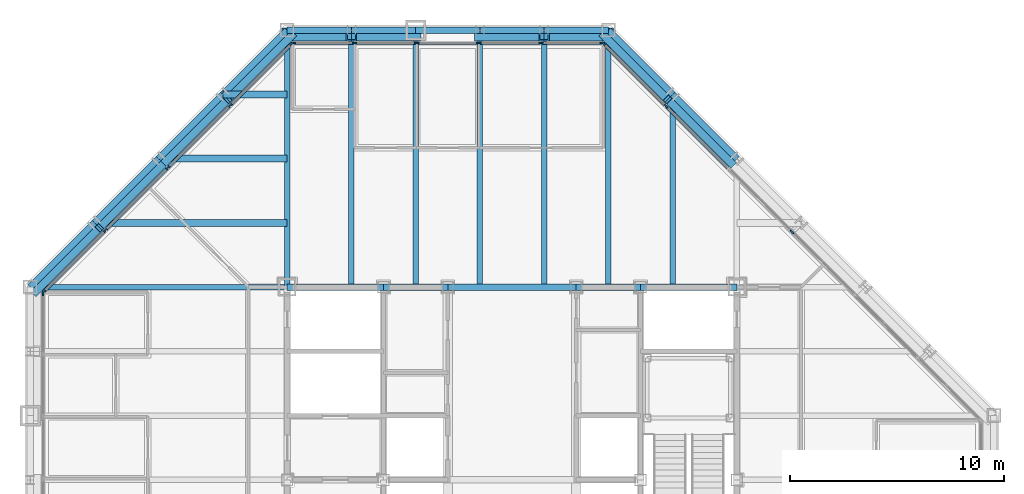
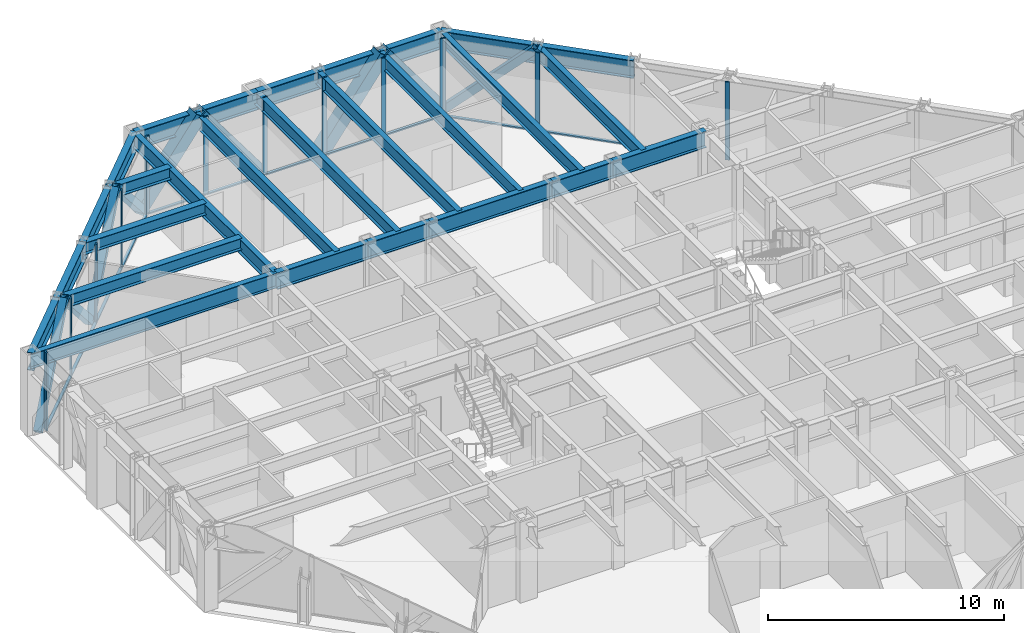
# One storey, part 8 of 16: 36 members, 27 beams, 4 elements without a shape of their own.
"""IFC4 building model written with IfcOpenShell, lengths in metres."""

from ifc_helpers import new_model, si_unit, direction, frame, origin, origin_2d, place, context, subcontext, project, spatial, rectangle, hollow_rectangle, i_section, extrude, material, layer, layer_set, material_profile, profile_set, type_object, element, aggregate, save


model = new_model("IFC4")

# Units and contexts
model_context = context("Model", 3, precision=1e-05, world=origin(), true_north=direction((0.0, 1.0)))
body_context = subcontext(model_context, "Body", "Model", "MODEL_VIEW")
ifc_project = project(units=[si_unit("LENGTHUNIT", "METRE"), si_unit("AREAUNIT", "SQUARE_METRE"), si_unit("VOLUMEUNIT", "CUBIC_METRE"), si_unit("PLANEANGLEUNIT", "RADIAN"), si_unit("MASSUNIT", "GRAM", prefix="KILO")], contexts=[model_context])

# Site, building, storey
site_placement = place(None, origin())
site = spatial("IfcSite", under=ifc_project, at=site_placement, CompositionType="ELEMENT")
building_placement = place(site_placement, origin())
building = spatial("IfcBuilding", under=site, at=building_placement, Name="Chuquiago Exchange Tower", CompositionType="ELEMENT")
storey_placement = place(building_placement, frame((0.0, 0.0, 218.10009765625)))
storey = spatial("IfcBuildingStorey", under=building, at=storey_placement, Name="L48", CompositionType="ELEMENT", Elevation=218.10009765625)

# Beams
ifc_material_1 = material(Name="Steel ASTM A992", Category="steel")
ifc_material_profile_1 = material_profile(ifc_material_1, i_section(OverallWidth=0.25390625, OverallDepth=0.683349609375, WebThickness=0.012451171875, FlangeThickness=0.018798828125, at=origin_2d()), Name="W27X94")
ifc_profile_set_1 = profile_set([ifc_material_profile_1], Name="Steel ASTM A992")
beam_type_1 = type_object("IfcBeamType", Name="B1 W27X94", PredefinedType="BEAM", material=ifc_profile_set_1)
for number, where, z_axis, x_axis, name in (
    (1, (15.0, 33.0, 3.6982421875), (0.0, 1.0, 0.0), (-1.0, 0.0, 0.0), "FB-L49-infill-15_33-15_45-0"),
    (2, (18.0, 33.0, 3.6982421875), (0.0, 1.0, 0.0), (-1.0, 0.0, 0.0), "FB-L49-infill-18_33-18_45-0"),
    (3, (21.0, 33.0, 3.6982421875), (0.0, 1.0, 0.0), (-1.0, 0.0, 0.0), "FB-L49-infill-21_33-21_45-0"),
    (4, (24.0, 33.0, 3.6982421875), (0.0, 1.0, 0.0), (-1.0, 0.0, 0.0), "FB-L49-infill-24_33-24_45-0"),
    (5, (27.0, 33.0, 3.6982421875), (0.0, 1.0, 0.0), (-1.0, 0.0, 0.0), "FB-L49-infill-27_33-27_45-0"),
):
    element("IfcBeam", number, at=place(storey_placement, frame(where, z_axis=z_axis, x_axis=x_axis)), inside=storey, type_object=beam_type_1, Name=name, PredefinedType="BEAM", context=body_context, shape_type="SweptSolid", body=[
        extrude(i_section(OverallWidth=0.25390625, OverallDepth=0.683349609375, WebThickness=0.012451171875, FlangeThickness=0.018798828125, at=origin_2d()), origin(), (0.0, 0.0, 1.0), 12.0),
    ])
beam_1_placement = place(storey_placement, frame((30.0, 33.0, 3.6982421875), z_axis=(0.0, 1.0, 0.0), x_axis=(-1.0, 0.0, 0.0)))
element("IfcBeam", 6, at=beam_1_placement, inside=storey, type_object=beam_type_1, Name="FB-L49-infill-30_33-30_42-0", PredefinedType="BEAM", context=body_context, shape_type="SweptSolid", body=[
    extrude(i_section(OverallWidth=0.25390625, OverallDepth=0.683349609375, WebThickness=0.012451171875, FlangeThickness=0.018798828125, at=origin_2d()), origin(), (0.0, 0.0, 1.0), 9.0),
])
ifc_material_2 = material(Name="Steel ASTM A992", Category="steel")
ifc_material_profile_2 = material_profile(ifc_material_2, i_section(OverallWidth=0.3251953125, OverallDepth=0.612060546875, WebThickness=0.0126953125, FlangeThickness=0.01904296875, at=origin_2d()), Name="W24X104")
ifc_profile_set_2 = profile_set([ifc_material_profile_2], Name="Steel ASTM A992")
beam_type_2 = type_object("IfcBeamType", Name="B2 W24X104", PredefinedType="BEAM", material=ifc_profile_set_2)
beam_2_placement = place(storey_placement, frame((12.0, 36.0, 3.73388671875), z_axis=(-1.0, 0.0, 0.0), x_axis=(0.0, -1.0, 0.0)))
element("IfcBeam", 7, at=beam_2_placement, inside=storey, type_object=beam_type_2, Name="FB-L49-corner-12_36-3_36-0", PredefinedType="BEAM", context=body_context, shape_type="SweptSolid", body=[
    extrude(i_section(OverallWidth=0.3251953125, OverallDepth=0.612060546875, WebThickness=0.0126953125, FlangeThickness=0.01904296875, at=origin_2d()), origin(), (0.0, 0.0, 1.0), 9.0),
])
beam_3_placement = place(storey_placement, frame((12.0, 39.0, 3.73388671875), z_axis=(-1.0, 0.0, 0.0), x_axis=(0.0, -1.0, 0.0)))
element("IfcBeam", 8, at=beam_3_placement, inside=storey, type_object=beam_type_2, Name="FB-L49-corner-12_39-6_39-0", PredefinedType="BEAM", context=body_context, shape_type="SweptSolid", body=[
    extrude(i_section(OverallWidth=0.3251953125, OverallDepth=0.612060546875, WebThickness=0.0126953125, FlangeThickness=0.01904296875, at=origin_2d()), origin(), (0.0, 0.0, 1.0), 6.0),
])
beam_4_placement = place(storey_placement, frame((12.0, 42.0, 3.73388671875), z_axis=(-1.0, 0.0, 0.0), x_axis=(0.0, -1.0, 0.0)))
element("IfcBeam", 9, at=beam_4_placement, inside=storey, type_object=beam_type_2, Name="FB-L49-corner-12_42-9_42-0", PredefinedType="BEAM", context=body_context, shape_type="SweptSolid", body=[
    extrude(i_section(OverallWidth=0.3251953125, OverallDepth=0.612060546875, WebThickness=0.0126953125, FlangeThickness=0.01904296875, at=origin_2d()), origin(), (0.0, 0.0, 1.0), 3.0),
])
ifc_material_3 = material(Name="Steel ASTM A992", Category="steel")
ifc_material_profile_3 = material_profile(ifc_material_3, i_section(OverallWidth=0.2919921875, OverallDepth=0.8583984375, WebThickness=0.01708984375, FlangeThickness=0.031005859375, at=origin_2d()), Name="W33X169")
ifc_profile_set_3 = profile_set([ifc_material_profile_3], Name="Steel ASTM A992")
beam_type_3 = type_object("IfcBeamType", Name="B3 W33X169", PredefinedType="BEAM", material=ifc_profile_set_3)
beam_5_placement = place(storey_placement, frame((12.0, 33.0, 3.610595703125), z_axis=(1.0, 0.0, 0.0), x_axis=(0.0, 1.0, 0.0)))
element("IfcBeam", 10, at=beam_5_placement, inside=storey, type_object=beam_type_3, Name="CB-L49-12_33-16.5_33", PredefinedType="BEAM", context=body_context, shape_type="SweptSolid", body=[
    extrude(i_section(OverallWidth=0.2919921875, OverallDepth=0.8583984375, WebThickness=0.01708984375, FlangeThickness=0.031005859375, at=origin_2d()), origin(), (0.0, 0.0, 1.0), 4.5),
])
beam_6_placement = place(storey_placement, frame((16.5, 33.0, 3.610595703125), z_axis=(1.0, 0.0, 0.0), x_axis=(0.0, 1.0, 0.0)))
element("IfcBeam", 11, at=beam_6_placement, inside=storey, type_object=beam_type_3, Name="CB-L49-16.5_33-19.5_33", PredefinedType="BEAM", context=body_context, shape_type="SweptSolid", body=[
    extrude(i_section(OverallWidth=0.2919921875, OverallDepth=0.8583984375, WebThickness=0.01708984375, FlangeThickness=0.031005859375, at=origin_2d()), origin(), (0.0, 0.0, 1.0), 3.0),
])
beam_7_placement = place(storey_placement, frame((19.5, 33.0, 3.610595703125), z_axis=(1.0, 0.0, 0.0), x_axis=(0.0, 1.0, 0.0)))
element("IfcBeam", 12, at=beam_7_placement, inside=storey, type_object=beam_type_3, Name="CB-L49-19.5_33-25.5_33", PredefinedType="BEAM", context=body_context, shape_type="SweptSolid", body=[
    extrude(i_section(OverallWidth=0.2919921875, OverallDepth=0.8583984375, WebThickness=0.01708984375, FlangeThickness=0.031005859375, at=origin_2d()), origin(), (0.0, 0.0, 1.0), 6.0),
])
beam_8_placement = place(storey_placement, frame((25.5, 33.0, 3.610595703125), z_axis=(1.0, 0.0, 0.0), x_axis=(0.0, 1.0, 0.0)))
element("IfcBeam", 13, at=beam_8_placement, inside=storey, type_object=beam_type_3, Name="CB-L49-25.5_33-28.5_33", PredefinedType="BEAM", context=body_context, shape_type="SweptSolid", body=[
    extrude(i_section(OverallWidth=0.2919921875, OverallDepth=0.8583984375, WebThickness=0.01708984375, FlangeThickness=0.031005859375, at=origin_2d()), origin(), (0.0, 0.0, 1.0), 3.0),
])
beam_9_placement = place(storey_placement, frame((28.5, 33.0, 3.610595703125), z_axis=(1.0, 0.0, 0.0), x_axis=(0.0, 1.0, 0.0)))
element("IfcBeam", 14, at=beam_9_placement, inside=storey, type_object=beam_type_3, Name="CB-L49-28.5_33-33_33", PredefinedType="BEAM", context=body_context, shape_type="SweptSolid", body=[
    extrude(i_section(OverallWidth=0.2919921875, OverallDepth=0.8583984375, WebThickness=0.01708984375, FlangeThickness=0.031005859375, at=origin_2d()), origin(), (0.0, 0.0, 1.0), 4.5),
])

# Curtain wall, members
ifc_material_4 = material(Name="Aluminium curtain wall system", Category="aluminium")
ifc_layer_1 = layer(ifc_material_4, 0.22509765625)
ifc_layer_set_1 = layer_set([ifc_layer_1], Name="CW2 office curtain wall")
curtain_wall_type_1 = type_object("IfcCurtainWallType", Name="CW2 office curtain wall", PredefinedType="NOTDEFINED", material=ifc_layer_set_1)
curtain_wall_1_placement = place(storey_placement, origin())
curtain_wall_1 = element("IfcCurtainWall", 15, at=curtain_wall_1_placement, inside=storey, type_object=curtain_wall_type_1, Name="CW2 curtain wall L48", PredefinedType="NOTDEFINED")
ifc_material_5 = material(Name="Aluminium mullion, pale anodised", Category="aluminium")
ifc_material_profile_4 = material_profile(ifc_material_5, rectangle(XDim=0.06494140625, YDim=0.22509765625, at=origin_2d()), Name="AL 65x225")
ifc_profile_set_4 = profile_set([ifc_material_profile_4], Name="Aluminium mullion, pale anodised")
member_type_1 = type_object("IfcMemberType", Name="CW2-M mullion 65x225", PredefinedType="MULLION", material=ifc_profile_set_4)
member_1_placement = place(storey_placement, frame((26.718994140625, 44.39990234375, 0.0), z_axis=(0.0, 0.0, 1.0), x_axis=(0.0, -1.0, 0.0)))
member_1 = element("IfcMember", 16, at=member_1_placement, type_object=member_type_1, Name="CW2 mullion 1", PredefinedType="MULLION", context=body_context, shape_type="SweptSolid", body=[
    extrude(rectangle(XDim=0.06494140625, YDim=0.22509765625, at=origin_2d()), origin(), (0.0, 0.0, 1.0), 4.039794921875),
])
member_2_placement = place(storey_placement, frame((23.850830078125, 44.39990234375, 0.0), z_axis=(0.0, 0.0, 1.0), x_axis=(0.0, -1.0, 0.0)))
member_2 = element("IfcMember", 17, at=member_2_placement, type_object=member_type_1, Name="CW2 mullion 2", PredefinedType="MULLION", context=body_context, shape_type="SweptSolid", body=[
    extrude(rectangle(XDim=0.06494140625, YDim=0.22509765625, at=origin_2d()), origin(), (0.0, 0.0, 1.0), 4.039794921875),
])
member_3_placement = place(storey_placement, frame((20.9501953125, 44.39990234375, 0.0), z_axis=(0.0, 0.0, 1.0), x_axis=(0.0, -1.0, 0.0)))
member_3 = element("IfcMember", 18, at=member_3_placement, type_object=member_type_1, Name="CW2 mullion 3", PredefinedType="MULLION", context=body_context, shape_type="SweptSolid", body=[
    extrude(rectangle(XDim=0.06494140625, YDim=0.22509765625, at=origin_2d()), origin(), (0.0, 0.0, 1.0), 4.039794921875),
])
member_4_placement = place(storey_placement, frame((18.0498046875, 44.39990234375, 0.0), z_axis=(0.0, 0.0, 1.0), x_axis=(0.0, -1.0, 0.0)))
member_4 = element("IfcMember", 19, at=member_4_placement, type_object=member_type_1, Name="CW2 mullion 4", PredefinedType="MULLION", context=body_context, shape_type="SweptSolid", body=[
    extrude(rectangle(XDim=0.06494140625, YDim=0.22509765625, at=origin_2d()), origin(), (0.0, 0.0, 1.0), 4.039794921875),
])
member_5_placement = place(storey_placement, frame((15.149169921875, 44.39990234375, 0.0), z_axis=(0.0, 0.0, 1.0), x_axis=(0.0, -1.0, 0.0)))
member_5 = element("IfcMember", 20, at=member_5_placement, type_object=member_type_1, Name="CW2 mullion 5", PredefinedType="MULLION", context=body_context, shape_type="SweptSolid", body=[
    extrude(rectangle(XDim=0.06494140625, YDim=0.22509765625, at=origin_2d()), origin(), (0.0, 0.0, 1.0), 4.039794921875),
])
member_6_placement = place(storey_placement, frame((12.281005859375, 44.39990234375, 0.0), z_axis=(0.0, 0.0, 1.0), x_axis=(0.0, -1.0, 0.0)))
member_6 = element("IfcMember", 21, at=member_6_placement, type_object=member_type_1, Name="CW2 mullion 6", PredefinedType="MULLION", context=body_context, shape_type="SweptSolid", body=[
    extrude(rectangle(XDim=0.06494140625, YDim=0.22509765625, at=origin_2d()), origin(), (0.0, 0.0, 1.0), 4.039794921875),
])

# Curtain wall, member
curtain_wall_2_placement = place(storey_placement, origin())
curtain_wall_2 = element("IfcCurtainWall", 22, at=curtain_wall_2_placement, inside=storey, type_object=curtain_wall_type_1, Name="CW2 curtain wall L48", PredefinedType="NOTDEFINED")
member_7_placement = place(storey_placement, frame((0.60009765625, 32.718994140625, 0.0), z_axis=(0.0, 0.0, 1.0), x_axis=(1.0, 0.0, 0.0)))
member_7 = element("IfcMember", 23, at=member_7_placement, type_object=member_type_1, Name="CW2 mullion 1", PredefinedType="MULLION", context=body_context, shape_type="SweptSolid", body=[
    extrude(rectangle(XDim=0.06494140625, YDim=0.22509765625, at=origin_2d()), origin(), (0.0, 0.0, 1.0), 4.039794921875),
])
aggregate(curtain_wall_2, [member_7])

# Member
ifc_material_6 = material(Name="Aluminium transom, pale anodised", Category="aluminium")
ifc_material_profile_5 = material_profile(ifc_material_6, rectangle(XDim=0.139892578125, YDim=0.06494140625, at=origin_2d()), Name="AL 140x65")
ifc_profile_set_5 = profile_set([ifc_material_profile_5], Name="Aluminium transom, pale anodised")
member_type_2 = type_object("IfcMemberType", Name="CW2-T transom 65x140", PredefinedType="MULLION", material=ifc_profile_set_5)
member_8_placement = place(storey_placement, frame((26.6865234375, 44.39990234375, 0.032470703125), z_axis=(-1.0, 0.0, 0.0), x_axis=(0.0, -1.0, 0.0)))
member_8 = element("IfcMember", 24, at=member_8_placement, type_object=member_type_2, Name="CW2 transom 1.1", PredefinedType="MULLION", context=body_context, shape_type="SweptSolid", body=[
    extrude(rectangle(XDim=0.139892578125, YDim=0.06494140625, at=origin_2d()), origin(), (0.0, 0.0, 1.0), 2.80322265625),
])

member_9_placement = place(storey_placement, frame((23.818359375, 44.39990234375, 0.032470703125), z_axis=(-1.0, 0.0, 0.0), x_axis=(0.0, -1.0, 0.0)))
member_9 = element("IfcMember", 25, at=member_9_placement, type_object=member_type_2, Name="CW2 transom 2.1", PredefinedType="MULLION", context=body_context, shape_type="SweptSolid", body=[
    extrude(rectangle(XDim=0.139892578125, YDim=0.06494140625, at=origin_2d()), origin(), (0.0, 0.0, 1.0), 2.83544921875),
])

member_10_placement = place(storey_placement, frame((20.917724609375, 44.39990234375, 0.032470703125), z_axis=(-1.0, 0.0, 0.0), x_axis=(0.0, -1.0, 0.0)))
member_10 = element("IfcMember", 26, at=member_10_placement, type_object=member_type_2, Name="CW2 transom 3.1", PredefinedType="MULLION", context=body_context, shape_type="SweptSolid", body=[
    extrude(rectangle(XDim=0.139892578125, YDim=0.06494140625, at=origin_2d()), origin(), (0.0, 0.0, 1.0), 2.83544921875),
])

member_11_placement = place(storey_placement, frame((18.01708984375, 44.39990234375, 0.032470703125), z_axis=(-1.0, 0.0, 0.0), x_axis=(0.0, -1.0, 0.0)))
member_11 = element("IfcMember", 27, at=member_11_placement, type_object=member_type_2, Name="CW2 transom 4.1", PredefinedType="MULLION", context=body_context, shape_type="SweptSolid", body=[
    extrude(rectangle(XDim=0.139892578125, YDim=0.06494140625, at=origin_2d()), origin(), (0.0, 0.0, 1.0), 2.83544921875),
])

member_12_placement = place(storey_placement, frame((15.11669921875, 44.39990234375, 0.032470703125), z_axis=(-1.0, 0.0, 0.0), x_axis=(0.0, -1.0, 0.0)))
member_12 = element("IfcMember", 28, at=member_12_placement, type_object=member_type_2, Name="CW2 transom 5.1", PredefinedType="MULLION", context=body_context, shape_type="SweptSolid", body=[
    extrude(rectangle(XDim=0.139892578125, YDim=0.06494140625, at=origin_2d()), origin(), (0.0, 0.0, 1.0), 2.80322265625),
])

aggregate(curtain_wall_1, [member_1, member_2, member_3, member_4, member_5, member_6, member_8, member_9, member_10, member_11, member_12])

# Curtain wall, members
ifc_material_7 = material(Name="Aluminium curtain wall system", Category="aluminium")
ifc_layer_2 = layer(ifc_material_7, 0.199951171875)
ifc_layer_set_2 = layer_set([ifc_layer_2], Name="CW3 facet curtain wall")
curtain_wall_type_2 = type_object("IfcCurtainWallType", Name="CW3 facet curtain wall", PredefinedType="NOTDEFINED", material=ifc_layer_set_2)
curtain_wall_3_placement = place(storey_placement, origin())
curtain_wall_3 = element("IfcCurtainWall", 29, at=curtain_wall_3_placement, inside=storey, type_object=curtain_wall_type_2, Name="CW3 curtain wall L48", PredefinedType="NOTDEFINED")
ifc_material_8 = material(Name="Aluminium mullion, pale anodised", Category="aluminium")
ifc_material_profile_6 = material_profile(ifc_material_8, rectangle(XDim=0.06494140625, YDim=0.199951171875, at=origin_2d()), Name="AL 65x200")
ifc_profile_set_6 = profile_set([ifc_material_profile_6], Name="Aluminium mullion, pale anodised")
member_type_3 = type_object("IfcMemberType", Name="CW3-M mullion 65x200", PredefinedType="MULLION", material=ifc_profile_set_6)
member_13_placement = place(storey_placement, frame((35.57568359375, 35.57568359375, 0.0), z_axis=(0.0, 0.0, 1.0), x_axis=(-0.707106781187, -0.707106781187, 0.0)))
member_13 = element("IfcMember", 30, at=member_13_placement, type_object=member_type_3, Name="CW3 mullion 4", PredefinedType="MULLION", context=body_context, shape_type="SweptSolid", body=[
    extrude(rectangle(XDim=0.06494140625, YDim=0.199951171875, at=origin_2d()), origin(), (0.0, 0.0, 1.0), 4.039794921875),
])
member_14_placement = place(storey_placement, frame((29.69287109375, 41.45849609375, 0.0), z_axis=(0.0, 0.0, 1.0), x_axis=(-0.707106781187, -0.707106781187, 0.0)))
member_14 = element("IfcMember", 31, at=member_14_placement, type_object=member_type_3, Name="CW3 mullion 6", PredefinedType="MULLION", context=body_context, shape_type="SweptSolid", body=[
    extrude(rectangle(XDim=0.06494140625, YDim=0.199951171875, at=origin_2d()), origin(), (0.0, 0.0, 1.0), 4.039794921875),
])
member_15_placement = place(storey_placement, frame((26.7744140625, 44.376953125, 0.0), z_axis=(0.0, 0.0, 1.0), x_axis=(-0.707106781187, -0.707106781187, 0.0)))
member_15 = element("IfcMember", 32, at=member_15_placement, type_object=member_type_3, Name="CW3 mullion 7", PredefinedType="MULLION", context=body_context, shape_type="SweptSolid", body=[
    extrude(rectangle(XDim=0.06494140625, YDim=0.199951171875, at=origin_2d()), origin(), (0.0, 0.0, 1.0), 4.039794921875),
])

curtain_wall_4_placement = place(storey_placement, origin())
curtain_wall_4 = element("IfcCurtainWall", 33, at=curtain_wall_4_placement, inside=storey, type_object=curtain_wall_type_2, Name="CW3 curtain wall L48", PredefinedType="NOTDEFINED")
member_16_placement = place(storey_placement, frame((12.2255859375, 44.376953125, 0.0), z_axis=(0.0, 0.0, 1.0), x_axis=(0.707106781187, -0.707106781187, 0.0)))
member_16 = element("IfcMember", 34, at=member_16_placement, type_object=member_type_3, Name="CW3 mullion 1", PredefinedType="MULLION", context=body_context, shape_type="SweptSolid", body=[
    extrude(rectangle(XDim=0.06494140625, YDim=0.199951171875, at=origin_2d()), origin(), (0.0, 0.0, 1.0), 4.039794921875),
])
member_17_placement = place(storey_placement, frame((9.33642578125, 41.48779296875, 0.0), z_axis=(0.0, 0.0, 1.0), x_axis=(0.707106781187, -0.707106781187, 0.0)))
member_17 = element("IfcMember", 35, at=member_17_placement, type_object=member_type_3, Name="CW3 mullion 2", PredefinedType="MULLION", context=body_context, shape_type="SweptSolid", body=[
    extrude(rectangle(XDim=0.06494140625, YDim=0.199951171875, at=origin_2d()), origin(), (0.0, 0.0, 1.0), 4.039794921875),
])
member_18_placement = place(storey_placement, frame((6.42431640625, 38.57568359375, 0.0), z_axis=(0.0, 0.0, 1.0), x_axis=(0.707106781187, -0.707106781187, 0.0)))
member_18 = element("IfcMember", 36, at=member_18_placement, type_object=member_type_3, Name="CW3 mullion 3", PredefinedType="MULLION", context=body_context, shape_type="SweptSolid", body=[
    extrude(rectangle(XDim=0.06494140625, YDim=0.199951171875, at=origin_2d()), origin(), (0.0, 0.0, 1.0), 4.039794921875),
])
member_19_placement = place(storey_placement, frame((3.51220703125, 35.66357421875, 0.0), z_axis=(0.0, 0.0, 1.0), x_axis=(0.707106781187, -0.707106781187, 0.0)))
member_19 = element("IfcMember", 37, at=member_19_placement, type_object=member_type_3, Name="CW3 mullion 4", PredefinedType="MULLION", context=body_context, shape_type="SweptSolid", body=[
    extrude(rectangle(XDim=0.06494140625, YDim=0.199951171875, at=origin_2d()), origin(), (0.0, 0.0, 1.0), 4.039794921875),
])
member_20_placement = place(storey_placement, frame((0.623046875, 32.7744140625, 0.0), z_axis=(0.0, 0.0, 1.0), x_axis=(0.707106781187, -0.707106781187, 0.0)))
member_20 = element("IfcMember", 38, at=member_20_placement, type_object=member_type_3, Name="CW3 mullion 5", PredefinedType="MULLION", context=body_context, shape_type="SweptSolid", body=[
    extrude(rectangle(XDim=0.06494140625, YDim=0.199951171875, at=origin_2d()), origin(), (0.0, 0.0, 1.0), 4.039794921875),
])

# Member
ifc_material_9 = material(Name="Aluminium transom, pale anodised", Category="aluminium")
ifc_material_profile_7 = material_profile(ifc_material_9, rectangle(XDim=0.139892578125, YDim=0.06494140625, at=origin_2d()), Name="AL 140x65")
ifc_profile_set_7 = profile_set([ifc_material_profile_7], Name="Aluminium transom, pale anodised")
member_type_4 = type_object("IfcMemberType", Name="CW3-T transom 65x140", PredefinedType="MULLION", material=ifc_profile_set_7)
member_21_placement = place(storey_placement, frame((32.611328125, 38.5400390625, 0.032470703125), z_axis=(-0.707106781187, 0.707106781187, 0.0), x_axis=(-0.707106781187, -0.707106781187, 0.0)))
member_21 = element("IfcMember", 39, at=member_21_placement, type_object=member_type_4, Name="CW3 transom 5.1", PredefinedType="MULLION", context=body_context, shape_type="SweptSolid", body=[
    extrude(rectangle(XDim=0.139892578125, YDim=0.06494140625, at=origin_2d()), origin(), (0.0, 0.0, 1.0), 4.094970703125),
])

member_22_placement = place(storey_placement, frame((29.669921875, 41.4814453125, 0.032470703125), z_axis=(-0.707106781187, 0.707106781187, 0.0), x_axis=(-0.707106781187, -0.707106781187, 0.0)))
member_22 = element("IfcMember", 40, at=member_22_placement, type_object=member_type_4, Name="CW3 transom 6.1", PredefinedType="MULLION", context=body_context, shape_type="SweptSolid", body=[
    extrude(rectangle(XDim=0.139892578125, YDim=0.06494140625, at=origin_2d()), origin(), (0.0, 0.0, 1.0), 4.0625),
])

aggregate(curtain_wall_3, [member_13, member_14, member_15, member_21, member_22])

member_23_placement = place(storey_placement, frame((12.20263671875, 44.35400390625, 0.032470703125), z_axis=(-0.707106781187, -0.707106781187, 0.0), x_axis=(0.707106781187, -0.707106781187, 0.0)))
member_23 = element("IfcMember", 41, at=member_23_placement, type_object=member_type_4, Name="CW3 transom 1.1", PredefinedType="MULLION", context=body_context, shape_type="SweptSolid", body=[
    extrude(rectangle(XDim=0.139892578125, YDim=0.06494140625, at=origin_2d()), origin(), (0.0, 0.0, 1.0), 4.02099609375),
])

member_24_placement = place(storey_placement, frame((9.3134765625, 41.46484375, 0.032470703125), z_axis=(-0.707106781187, -0.707106781187, 0.0), x_axis=(0.707106781187, -0.707106781187, 0.0)))
member_24 = element("IfcMember", 42, at=member_24_placement, type_object=member_type_4, Name="CW3 transom 2.1", PredefinedType="MULLION", context=body_context, shape_type="SweptSolid", body=[
    extrude(rectangle(XDim=0.139892578125, YDim=0.06494140625, at=origin_2d()), origin(), (0.0, 0.0, 1.0), 4.053466796875),
])

member_25_placement = place(storey_placement, frame((6.4013671875, 38.552734375, 0.032470703125), z_axis=(-0.707106781187, -0.707106781187, 0.0), x_axis=(0.707106781187, -0.707106781187, 0.0)))
member_25 = element("IfcMember", 43, at=member_25_placement, type_object=member_type_4, Name="CW3 transom 3.1", PredefinedType="MULLION", context=body_context, shape_type="SweptSolid", body=[
    extrude(rectangle(XDim=0.139892578125, YDim=0.06494140625, at=origin_2d()), origin(), (0.0, 0.0, 1.0), 4.053466796875),
])

member_26_placement = place(storey_placement, frame((3.4892578125, 35.640625, 0.032470703125), z_axis=(-0.707106781187, -0.707106781187, 0.0), x_axis=(0.707106781187, -0.707106781187, 0.0)))
member_26 = element("IfcMember", 44, at=member_26_placement, type_object=member_type_4, Name="CW3 transom 4.1", PredefinedType="MULLION", context=body_context, shape_type="SweptSolid", body=[
    extrude(rectangle(XDim=0.139892578125, YDim=0.06494140625, at=origin_2d()), origin(), (0.0, 0.0, 1.0), 4.02099609375),
])

aggregate(curtain_wall_4, [member_16, member_17, member_18, member_19, member_20, member_23, member_24, member_25, member_26])

# Beams
ifc_material_10 = material(Name="Steel ASTM A992", Category="steel")
ifc_material_profile_8 = material_profile(ifc_material_10, i_section(OverallWidth=0.2666015625, OverallDepth=0.76953125, WebThickness=0.015625, FlangeThickness=0.025390625, at=origin_2d()), Name="W30X132")
ifc_profile_set_8 = profile_set([ifc_material_profile_8], Name="Steel ASTM A992")
beam_type_4 = type_object("IfcBeamType", Name="G1 W30X132", PredefinedType="BEAM", material=ifc_profile_set_8)
for number, where, z_axis, x_axis, name in (
    (45, (12.0, 33.0, 3.655029296875), (0.0, 1.0, 0.0), (-1.0, 0.0, 0.0), "FB-L49-girder-12_33-12_45-0"),
    (46, (12.0, 33.0, 3.655029296875), (-1.0, 0.0, 0.0), (0.0, -1.0, 0.0), "FB-L49-girder-12_33--0_33-0"),
):
    element("IfcBeam", number, at=place(storey_placement, frame(where, z_axis=z_axis, x_axis=x_axis)), inside=storey, type_object=beam_type_4, Name=name, PredefinedType="BEAM", context=body_context, shape_type="SweptSolid", body=[
        extrude(i_section(OverallWidth=0.2666015625, OverallDepth=0.76953125, WebThickness=0.015625, FlangeThickness=0.025390625, at=origin_2d()), origin(), (0.0, 0.0, 1.0), 12.0),
    ])

# Members
ifc_material_11 = material(Name="Steel ASTM A500 Grade C", Category="steel")
ifc_material_profile_9 = material_profile(ifc_material_11, hollow_rectangle(XDim=0.355712890625, YDim=0.355712890625, WallThickness=0.0146484375, at=origin_2d()), Name="HSS14X14X5/8")
ifc_profile_set_9 = profile_set([ifc_material_profile_9], Name="Steel ASTM A500 Grade C")
member_type_5 = type_object("IfcMemberType", Name="LB2 HSS14X14X5/8", PredefinedType="BRACE", material=ifc_profile_set_9)
for number, where, z_axis, x_axis, name in (
    (47, (32.7685546875, 38.7685546875, 0.0), (-0.51209198167, 0.51209198167, 0.689582195694), (-0.707106781187, -0.707106781187, 0.0), "LB-L48-33_39-30_42"),
    (48, (26.7685546875, 44.7685546875, 0.0), (0.51209198167, -0.51209198167, 0.689582195694), (0.707106781187, 0.707106781187, 0.0), "LB-L48-30_42-27_45"),
    (49, (12.2314453125, 44.7685546875, 0.0), (-0.51209198167, -0.51209198167, 0.689582195694), (0.707106781187, -0.707106781187, 0.0), "LB-L48-12_45-9_42"),
    (50, (6.2314453125, 38.7685546875, 0.0), (0.51209198167, 0.51209198167, 0.689582195694), (-0.707106781187, 0.707106781187, 0.0), "LB-L48-9_42-6_39"),
    (51, (6.2314453125, 38.7685546875, 0.0), (-0.51209198167, -0.51209198167, 0.689582195694), (0.707106781187, -0.707106781187, 0.0), "LB-L48-6_39-3_36"),
    (52, (0.2314453125, 32.7685546875, 0.0), (0.51209198167, 0.51209198167, 0.689582195694), (-0.707106781187, 0.707106781187, 0.0), "LB-L48-3_36-0_33"),
):
    element("IfcMember", number, at=place(storey_placement, frame(where, z_axis=z_axis, x_axis=x_axis)), inside=storey, type_object=member_type_5, Name=name, PredefinedType="BRACE", context=body_context, shape_type="SweptSolid", body=[
        extrude(hollow_rectangle(XDim=0.355712890625, YDim=0.355712890625, WallThickness=0.0146484375, at=origin_2d()), origin(), (0.0, 0.0, 1.0), 5.8583984375),
    ])
ifc_material_12 = material(Name="Steel ASTM A572 Grade 50", Category="steel")
ifc_material_profile_10 = material_profile(ifc_material_12, hollow_rectangle(XDim=0.60009765625, YDim=0.60009765625, WallThickness=0.06005859375, at=origin_2d()), Name="BOX600X600X60")
ifc_profile_set_10 = profile_set([ifc_material_profile_10], Name="Steel ASTM A572 Grade 50")
member_type_6 = type_object("IfcMemberType", Name="MB3 BOX600X600X60", PredefinedType="BRACE", material=ifc_profile_set_10)
for number, where, z_axis, x_axis, name in (
    (53, (27.0, 44.794921875, 0.0), (-0.596197146086, 0.0, 0.802838067732), (0.0, -1.0, 0.0), "Mega diagonal L48 N face"),
    (54, (21.0, 44.794921875, 0.0), (0.596197146086, 0.0, 0.802838067732), (0.0, 1.0, 0.0), "Mega diagonal L48 N face"),
    (55, (18.0, 44.794921875, 0.0), (-0.596197146086, 0.0, 0.802838067732), (0.0, -1.0, 0.0), "Mega diagonal L48 N face"),
    (56, (12.0, 44.794921875, 0.0), (0.596197146086, 0.0, 0.802838067732), (0.0, 1.0, 0.0), "Mega diagonal L48 N face"),
):
    element("IfcMember", number, at=place(storey_placement, frame(where, z_axis=z_axis, x_axis=x_axis)), inside=storey, type_object=member_type_6, Name=name, PredefinedType="BRACE", context=body_context, shape_type="SweptSolid", body=[
        extrude(hollow_rectangle(XDim=0.60009765625, YDim=0.60009765625, WallThickness=0.06005859375, at=origin_2d()), origin(), (0.0, 0.0, 1.0), 5.031982421875),
    ])

# Beams
ifc_material_13 = material(Name="Steel ASTM A992", Category="steel")
ifc_material_profile_11 = material_profile(ifc_material_13, i_section(OverallWidth=0.307373046875, OverallDepth=0.927001953125, WebThickness=0.01953125, FlangeThickness=0.031982421875, at=origin_2d()), Name="W36X194")
ifc_profile_set_11 = profile_set([ifc_material_profile_11], Name="Steel ASTM A992")
beam_type_5 = type_object("IfcBeamType", Name="SP3 W36X194", PredefinedType="SPANDREL", material=ifc_profile_set_11)
for number, where, z_axis, x_axis, name in (
    (57, (33.0, 39.0, 3.576416015625), (-0.707106781187, 0.707106781187, 0.0), (-0.707106781187, -0.707106781187, 0.0), "SPB-L49-33_39-30_42"),
    (58, (30.0, 42.0, 3.576416015625), (-0.707106781187, 0.707106781187, 0.0), (-0.707106781187, -0.707106781187, 0.0), "SPB-L49-30_42-27_45"),
):
    element("IfcBeam", number, at=place(storey_placement, frame(where, z_axis=z_axis, x_axis=x_axis)), inside=storey, type_object=beam_type_5, Name=name, PredefinedType="SPANDREL", context=body_context, shape_type="SweptSolid", body=[
        extrude(i_section(OverallWidth=0.307373046875, OverallDepth=0.927001953125, WebThickness=0.01953125, FlangeThickness=0.031982421875, at=origin_2d()), origin(), (0.0, 0.0, 1.0), 4.24267578125),
    ])
for number, where, z_axis, x_axis, name in (
    (59, (27.0, 45.0, 3.576416015625), (-1.0, 0.0, 0.0), (0.0, -1.0, 0.0), "SPB-L49-27_45-24_45"),
    (60, (24.0, 45.0, 3.576416015625), (-1.0, 0.0, 0.0), (0.0, -1.0, 0.0), "SPB-L49-24_45-21_45"),
    (61, (21.0, 45.0, 3.576416015625), (-1.0, 0.0, 0.0), (0.0, -1.0, 0.0), "SPB-L49-21_45-18_45"),
    (62, (18.0, 45.0, 3.576416015625), (-1.0, 0.0, 0.0), (0.0, -1.0, 0.0), "SPB-L49-18_45-15_45"),
    (63, (15.0, 45.0, 3.576416015625), (-1.0, 0.0, 0.0), (0.0, -1.0, 0.0), "SPB-L49-15_45-12_45"),
):
    element("IfcBeam", number, at=place(storey_placement, frame(where, z_axis=z_axis, x_axis=x_axis)), inside=storey, type_object=beam_type_5, Name=name, PredefinedType="SPANDREL", context=body_context, shape_type="SweptSolid", body=[
        extrude(i_section(OverallWidth=0.307373046875, OverallDepth=0.927001953125, WebThickness=0.01953125, FlangeThickness=0.031982421875, at=origin_2d()), origin(), (0.0, 0.0, 1.0), 3.0),
    ])
for number, where, z_axis, x_axis, name in (
    (64, (12.0, 45.0, 3.576416015625), (-0.707106781187, -0.707106781187, 0.0), (0.707106781187, -0.707106781187, 0.0), "SPB-L49-12_45-9_42"),
    (65, (9.0, 42.0, 3.576416015625), (-0.707106781187, -0.707106781187, 0.0), (0.707106781187, -0.707106781187, 0.0), "SPB-L49-9_42-6_39"),
    (66, (6.0, 39.0, 3.576416015625), (-0.707106781187, -0.707106781187, 0.0), (0.707106781187, -0.707106781187, 0.0), "SPB-L49-6_39-3_36"),
    (67, (3.0, 36.0, 3.576416015625), (-0.707106781187, -0.707106781187, 0.0), (0.707106781187, -0.707106781187, 0.0), "SPB-L49-3_36-0_33"),
):
    element("IfcBeam", number, at=place(storey_placement, frame(where, z_axis=z_axis, x_axis=x_axis)), inside=storey, type_object=beam_type_5, Name=name, PredefinedType="SPANDREL", context=body_context, shape_type="SweptSolid", body=[
        extrude(i_section(OverallWidth=0.307373046875, OverallDepth=0.927001953125, WebThickness=0.01953125, FlangeThickness=0.031982421875, at=origin_2d()), origin(), (0.0, 0.0, 1.0), 4.24267578125),
    ])

save(model, "model.ifc")
